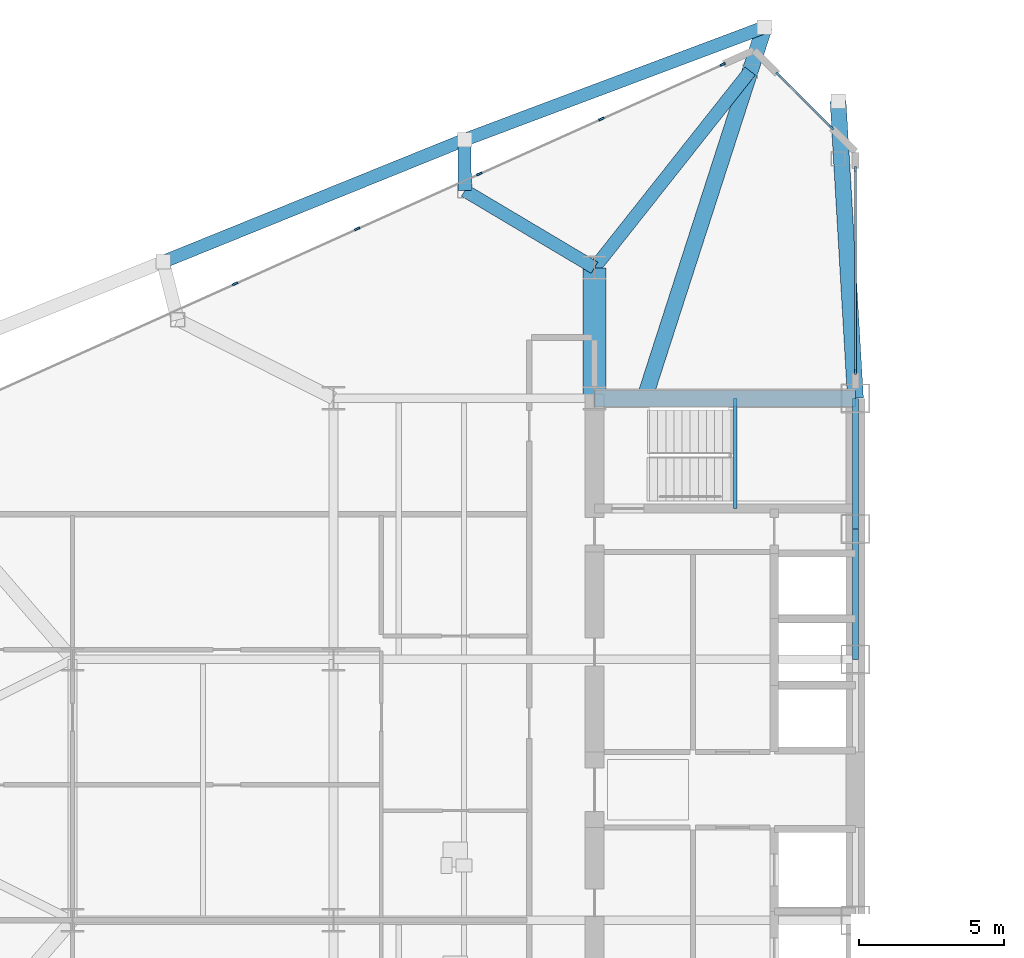
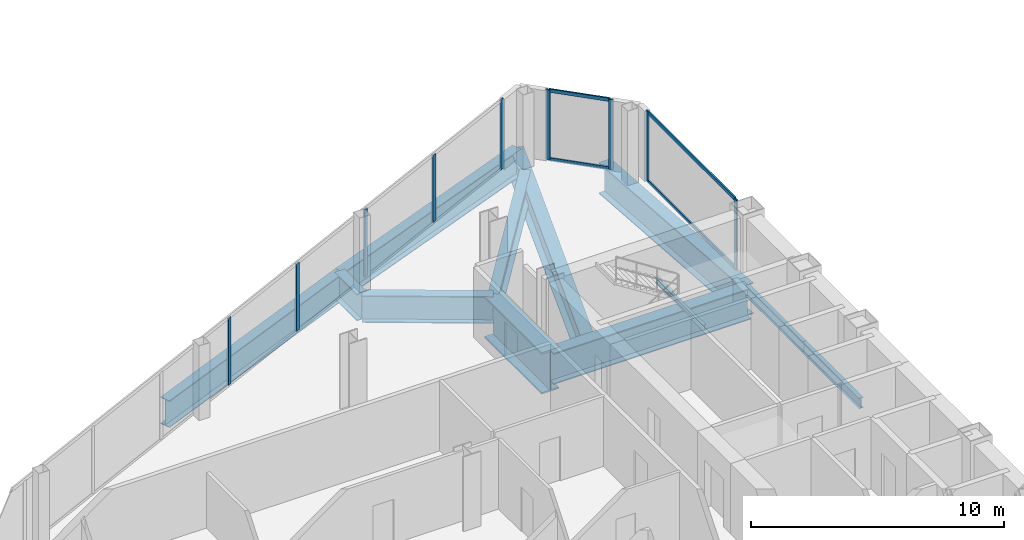
# One storey, part 10 of 29: 13 members, 12 beams, 3 elements without a shape of their own.
"""IFC4 building model written with IfcOpenShell, lengths in metres."""

from ifc_helpers import new_model, si_unit, direction, frame, origin, origin_2d, place, context, subcontext, project, spatial, rectangle, i_section, extrude, source, transform, mapped, material, layer, layer_set, material_profile, profile_set, type_object, type_shapes, element, aggregate, save


model = new_model("IFC4")

# Units and contexts
model_context = context("Model", 3, precision=1e-05, world=origin(), true_north=direction((0.0, 1.0)))
body_context = subcontext(model_context, "Body", "Model", "MODEL_VIEW")
ifc_project = project(units=[si_unit("LENGTHUNIT", "METRE"), si_unit("AREAUNIT", "SQUARE_METRE"), si_unit("VOLUMEUNIT", "CUBIC_METRE"), si_unit("PLANEANGLEUNIT", "RADIAN"), si_unit("MASSUNIT", "GRAM", prefix="KILO")], contexts=[model_context])

# Site, building, storey
site_placement = place(None, origin())
site = spatial("IfcSite", under=ifc_project, at=site_placement, CompositionType="ELEMENT")
building_placement = place(site_placement, origin())
building = spatial("IfcBuilding", under=site, at=building_placement, Name="Seokmaru Belvedere", CompositionType="ELEMENT")
storey_placement = place(building_placement, frame((0.0, 0.0, 62.10009765625)))
storey = spatial("IfcBuildingStorey", under=building, at=storey_placement, Name="L16", CompositionType="ELEMENT", Elevation=62.10009765625)

# Beams
ifc_material_1 = material(Name="Steel SM355 (355 MPa)", Category="steel")
ifc_material_profile_1 = material_profile(ifc_material_1, i_section(OverallWidth=0.199951171875, OverallDepth=0.5, WebThickness=0.010009765625, FlangeThickness=0.01611328125, at=origin_2d()), Name="H-500x200x10x16")
ifc_profile_set_1 = profile_set([ifc_material_profile_1], Name="Steel SM355 (355 MPa)")
beam_type_1 = type_object("IfcBeamType", Name="Perimeter Spandrel Beam H-500", PredefinedType="SPANDREL", material=ifc_profile_set_1)
shared_shape_1 = source(origin(), body_context, "Body", "SweptSolid", [
    extrude(i_section(OverallWidth=0.199951171875, OverallDepth=0.5, WebThickness=0.010009765625, FlangeThickness=0.01611328125, at=origin_2d()), origin(), (0.0, 0.0, 1.0), 4.5),
])
type_shapes(beam_type_1, [shared_shape_1])
for number, where, z_axis, x_axis, name in (
    (1, (-27.5, 4.5, -0.47021484375), (0.0, 1.0, 0.0), (-1.0, 0.0, 0.0), "L16 W Portal Spine Spandrel 4"),
    (2, (-27.5, 9.0, -0.47021484375), (0.0, 1.0, 0.0), (-1.0, 0.0, 0.0), "L16 W Portal Spine Spandrel 5"),
):
    element("IfcBeam", number, at=place(storey_placement, frame(where, z_axis=z_axis, x_axis=x_axis)), inside=storey, type_object=beam_type_1, Name=name, PredefinedType="SPANDREL", context=body_context, shape_type="MappedRepresentation", body=[
        mapped(shared_shape_1, transform((0.0, 0.0, 0.0), scale=1.0)),
    ])
ifc_material_2 = material(Name="Steel HSA650 (650 MPa)", Category="steel")
ifc_material_profile_2 = material_profile(ifc_material_2, i_section(OverallWidth=0.800048828125, OverallDepth=2.0, WebThickness=0.0400390625, FlangeThickness=0.070068359375, at=origin_2d()), Name="BH-2000x800x40x70")
ifc_profile_set_2 = profile_set([ifc_material_profile_2], Name="Steel HSA650 (650 MPa)")
beam_type_2 = type_object("IfcBeamType", Name="Sky-Gate Transfer Truss Chord Girder BH-2000", PredefinedType="BEAM", material=ifc_profile_set_2)
shared_shape_2 = source(origin(), body_context, "Body", "SweptSolid", [
    extrude(i_section(OverallWidth=0.800048828125, OverallDepth=2.0, WebThickness=0.0400390625, FlangeThickness=0.070068359375, at=origin_2d()), origin(), (0.0, 0.0, 1.0), 4.5),
])
type_shapes(beam_type_2, [shared_shape_2])
beam_1_placement = place(storey_placement, frame((-36.5, 13.5, -1.22021484375), z_axis=(0.0, 1.0, 0.0), x_axis=(-1.0, 0.0, 0.0)))
element("IfcBeam", 3, at=beam_1_placement, inside=storey, type_object=beam_type_2, Name="L16 W Core Shoulder Girder N", PredefinedType="BEAM", context=body_context, shape_type="MappedRepresentation", body=[
    mapped(shared_shape_2, transform((0.0, 0.0, 0.0), scale=1.0)),
])
ifc_material_profile_3 = material_profile(ifc_material_2, i_section(OverallWidth=0.449951171875, OverallDepth=1.300048828125, WebThickness=0.02197265625, FlangeThickness=0.0380859375, at=origin_2d()), Name="BH-1300x450x22x38")
ifc_profile_set_3 = profile_set([ifc_material_profile_3], Name="Steel HSA650 (650 MPa)")
beam_type_3 = type_object("IfcBeamType", Name="Observatory Long-Span Roof Girder BH-1300", PredefinedType="BEAM", material=ifc_profile_set_3)
shared_shape_3 = source(origin(), body_context, "Body", "SweptSolid", [
    extrude(i_section(OverallWidth=0.449951171875, OverallDepth=1.300048828125, WebThickness=0.02197265625, FlangeThickness=0.0380859375, at=origin_2d()), origin(), (0.0, 0.0, 1.0), 11.03857421875),
])
beam_2_placement = place(storey_placement, frame((-30.643310546875, 26.294677734375, -0.8701171875), z_axis=(-0.936169110734, -0.351549990907, 0.0), x_axis=(0.351549990907, -0.936169110734, 0.0)))
element("IfcBeam", 4, at=beam_2_placement, inside=storey, type_object=beam_type_3, Name="L16 W Faceted Flank Spandrel N-1", PredefinedType="BEAM", context=body_context, shape_type="MappedRepresentation", body=[
    mapped(shared_shape_3, transform((0.0, 0.0, 0.0), scale=1.0)),
])
shared_shape_4 = source(origin(), body_context, "Body", "SweptSolid", [
    extrude(i_section(OverallWidth=0.449951171875, OverallDepth=1.300048828125, WebThickness=0.02197265625, FlangeThickness=0.0380859375, at=origin_2d()), origin(), (0.0, 0.0, 1.0), 11.220703125),
])
beam_3_placement = place(storey_placement, frame((-40.977294921875, 22.4140625, -0.8701171875), z_axis=(-0.926944290816, -0.375198989503, 0.0), x_axis=(0.375198989503, -0.926944290816, 0.0)))
element("IfcBeam", 5, at=beam_3_placement, inside=storey, type_object=beam_type_3, Name="L16 W Faceted Flank Spandrel N-2", PredefinedType="BEAM", context=body_context, shape_type="MappedRepresentation", body=[
    mapped(shared_shape_4, transform((0.0, 0.0, 0.0), scale=1.0)),
])
ifc_material_profile_4 = material_profile(ifc_material_2, i_section(OverallWidth=0.550048828125, OverallDepth=1.5, WebThickness=0.028076171875, FlangeThickness=0.044921875, at=origin_2d()), Name="BH-1500x550x28x45")
ifc_profile_set_4 = profile_set([ifc_material_profile_4], Name="Steel HSA650 (650 MPa)")
beam_type_4 = type_object("IfcBeamType", Name="Setback Transfer Girder BH-1500", PredefinedType="BEAM", material=ifc_profile_set_4)
shared_shape_5 = source(origin(), body_context, "Body", "SweptSolid", [
    extrude(i_section(OverallWidth=0.550048828125, OverallDepth=1.5, WebThickness=0.028076171875, FlangeThickness=0.044921875, at=origin_2d()), origin(), (0.0, 0.0, 1.0), 10.26904296875),
])
beam_4_placement = place(storey_placement, frame((-28.10009765625, 23.75146484375, -0.97021484375), z_axis=(0.058437709399, -0.998291056817, 0.0), x_axis=(0.998291056817, 0.058437709399, 0.0)))
element("IfcBeam", 6, at=beam_4_placement, inside=storey, type_object=beam_type_4, Name="L16 W Setback Transfer Girder 2", PredefinedType="BEAM", context=body_context, shape_type="MappedRepresentation", body=[
    mapped(shared_shape_5, transform((0.0, 0.0, 0.0), scale=1.0)),
])
shared_shape_6 = source(origin(), body_context, "Body", "SweptSolid", [
    extrude(i_section(OverallWidth=0.550048828125, OverallDepth=1.5, WebThickness=0.028076171875, FlangeThickness=0.044921875, at=origin_2d()), origin(), (0.0, 0.0, 1.0), 9.0),
])
beam_5_placement = place(storey_placement, frame((-36.5, 13.5, -0.97021484375), z_axis=(1.0, 0.0, 0.0), x_axis=(0.0, 1.0, 0.0)))
element("IfcBeam", 7, at=beam_5_placement, inside=storey, type_object=beam_type_4, Name="L16 W Core Transfer Header 4", PredefinedType="BEAM", context=body_context, shape_type="MappedRepresentation", body=[
    mapped(shared_shape_6, transform((0.0, 0.0, 0.0), scale=1.0)),
])
shared_shape_7 = source(origin(), body_context, "Body", "SweptSolid", [
    extrude(i_section(OverallWidth=0.550048828125, OverallDepth=1.5, WebThickness=0.028076171875, FlangeThickness=0.044921875, at=origin_2d()), origin(), (0.0, 0.0, 1.0), 13.445068359375),
])
type_shapes(beam_type_4, [shared_shape_5, shared_shape_6, shared_shape_7])
beam_6_placement = place(storey_placement, frame((-30.643310546875, 26.294677734375, -0.97021484375), z_axis=(-0.307241517506, -0.951631572574, 0.0), x_axis=(0.951631572574, -0.307241517506, 0.0)))
element("IfcBeam", 8, at=beam_6_placement, inside=storey, type_object=beam_type_4, Name="L16 W Setback Transfer Girder 3", PredefinedType="BEAM", context=body_context, shape_type="MappedRepresentation", body=[
    mapped(shared_shape_7, transform((0.0, 0.0, 0.0), scale=1.0)),
])
shared_shape_8 = source(origin(), body_context, "Body", "SweptSolid", [
    extrude(i_section(OverallWidth=0.449951171875, OverallDepth=1.300048828125, WebThickness=0.02197265625, FlangeThickness=0.0380859375, at=origin_2d()), origin(), (0.0, 0.0, 1.0), 8.650390625),
])
beam_7_placement = place(storey_placement, frame((-31.13134765625, 24.782958984375, -0.8701171875), z_axis=(-0.620618362853, -0.784112777405, 0.0), x_axis=(0.784112777405, -0.620618362853, 0.0)))
element("IfcBeam", 9, at=beam_7_placement, inside=storey, type_object=beam_type_3, Name="L16 W Shoulder Sanity Tie Girder 3", PredefinedType="BEAM", context=body_context, shape_type="MappedRepresentation", body=[
    mapped(shared_shape_8, transform((0.0, 0.0, 0.0), scale=1.0)),
])
shared_shape_9 = source(origin(), body_context, "Body", "SweptSolid", [
    extrude(i_section(OverallWidth=0.449951171875, OverallDepth=1.300048828125, WebThickness=0.02197265625, FlangeThickness=0.0380859375, at=origin_2d()), origin(), (0.0, 0.0, 1.0), 1.752685546875),
])
beam_8_placement = place(storey_placement, frame((-40.977294921875, 22.4140625, -0.8701171875), z_axis=(0.002646598894, -0.999996497751, 0.0), x_axis=(0.999996497751, 0.002646598894, 0.0)))
element("IfcBeam", 10, at=beam_8_placement, inside=storey, type_object=beam_type_3, Name="L16 W Flank Setback Step Girder N-1", PredefinedType="BEAM", context=body_context, shape_type="MappedRepresentation", body=[
    mapped(shared_shape_9, transform((0.0, 0.0, 0.0), scale=1.0)),
])
shared_shape_10 = source(origin(), body_context, "Body", "SweptSolid", [
    extrude(i_section(OverallWidth=0.449951171875, OverallDepth=1.300048828125, WebThickness=0.02197265625, FlangeThickness=0.0380859375, at=origin_2d()), origin(), (0.0, 0.0, 1.0), 5.20458984375),
])
type_shapes(beam_type_3, [shared_shape_3, shared_shape_4, shared_shape_8, shared_shape_9, shared_shape_10])
beam_9_placement = place(storey_placement, frame((-40.97265625, 20.661376953125, -0.8701171875), z_axis=(0.859370434188, -0.511353553662, 0.0), x_axis=(0.511353553662, 0.859370434188, 0.0)))
element("IfcBeam", 11, at=beam_9_placement, inside=storey, type_object=beam_type_3, Name="L16 W Flank Setback Back-Span Girder N-1", PredefinedType="BEAM", context=body_context, shape_type="MappedRepresentation", body=[
    mapped(shared_shape_10, transform((0.0, 0.0, 0.0), scale=1.0)),
])

# Curtain wall, members
ifc_material_3 = material(Name="Bronze Triple Insulating Glass", Category="glass")
ifc_layer = layer(ifc_material_3, 0.195068359375)
ifc_layer_set = layer_set([ifc_layer], Name="Bronze Triple Insulating Glass")
curtain_wall_type = type_object("IfcCurtainWallType", Name="Lower-Mid Tapered Curtain Wall System CW-3", PredefinedType="NOTDEFINED", material=ifc_layer_set)
curtain_wall_1_placement = place(storey_placement, origin())
curtain_wall_1 = element("IfcCurtainWall", 12, at=curtain_wall_1_placement, inside=storey, type_object=curtain_wall_type, Name="L16 Curtain Wall WSP_2", PredefinedType="NOTDEFINED")
ifc_material_4 = material(Name="Anodised Bronze Aluminium", Category="aluminium")
ifc_material_profile_5 = material_profile(ifc_material_4, rectangle(XDim=0.070068359375, YDim=0.195068359375, at=origin_2d()), Name="CW-M-70x195")
ifc_profile_set_5 = profile_set([ifc_material_profile_5], Name="Anodised Bronze Aluminium")
member_type_1 = type_object("IfcMemberType", Name="Bronze Unitised Mullion 70x195", PredefinedType="MULLION", material=ifc_profile_set_5)
shared_shape_11 = source(origin(), body_context, "Body", "SweptSolid", [
    extrude(rectangle(XDim=0.070068359375, YDim=0.195068359375, at=origin_2d()), origin(), (0.0, 0.0, 1.0), 3.3798828125),
])
member_1_placement = place(storey_placement, frame((-27.5, 14.4150390625, 0.0), z_axis=(0.0, 0.0, 1.0), x_axis=(-1.0, 0.0, 0.0)))
member_1 = element("IfcMember", 13, at=member_1_placement, type_object=member_type_1, Name="CW:L16:WSP_2 Mullion 1", PredefinedType="MULLION", context=body_context, shape_type="MappedRepresentation", body=[
    mapped(shared_shape_11, transform((0.0, 0.0, 0.0), scale=1.0)),
])
member_2_placement = place(storey_placement, frame((-27.5, 21.39501953125, 0.0), z_axis=(0.0, 0.0, 1.0), x_axis=(-1.0, 0.0, 0.0)))
member_2 = element("IfcMember", 14, at=member_2_placement, type_object=member_type_1, Name="CW:L16:WSP_2 Mullion 2", PredefinedType="MULLION", context=body_context, shape_type="MappedRepresentation", body=[
    mapped(shared_shape_11, transform((0.0, 0.0, 0.0), scale=1.0)),
])

curtain_wall_2_placement = place(storey_placement, origin())
curtain_wall_2 = element("IfcCurtainWall", 15, at=curtain_wall_2_placement, inside=storey, type_object=curtain_wall_type, Name="L16 Curtain Wall WF2", PredefinedType="NOTDEFINED")
member_3_placement = place(storey_placement, frame((-28.337890625, 22.837890625, 0.0), z_axis=(0.0, 0.0, 1.0), x_axis=(-0.707106781187, -0.707106781187, 0.0)))
member_3 = element("IfcMember", 16, at=member_3_placement, type_object=member_type_1, Name="CW:L16:WF2 Mullion 1", PredefinedType="MULLION", context=body_context, shape_type="MappedRepresentation", body=[
    mapped(shared_shape_11, transform((0.0, 0.0, 0.0), scale=1.0)),
])
member_4_placement = place(storey_placement, frame((-30.162109375, 24.662109375, 0.0), z_axis=(0.0, 0.0, 1.0), x_axis=(-0.707106781187, -0.707106781187, 0.0)))
member_4 = element("IfcMember", 17, at=member_4_placement, type_object=member_type_1, Name="CW:L16:WF2 Mullion 2", PredefinedType="MULLION", context=body_context, shape_type="MappedRepresentation", body=[
    mapped(shared_shape_11, transform((0.0, 0.0, 0.0), scale=1.0)),
])

# Curtain wall, member
curtain_wall_3_placement = place(storey_placement, origin())
curtain_wall_3 = element("IfcCurtainWall", 18, at=curtain_wall_3_placement, inside=storey, type_object=curtain_wall_type, Name="L16 Curtain Wall WF3", PredefinedType="NOTDEFINED")
member_5_placement = place(storey_placement, frame((-32.08056640625, 25.013671875, 0.0), z_axis=(0.0, 0.0, 1.0), x_axis=(0.41036554765, -0.91192111353, 0.0)))
member_5 = element("IfcMember", 19, at=member_5_placement, type_object=member_type_1, Name="CW:L16:WF3 Mullion 1", PredefinedType="MULLION", context=body_context, shape_type="MappedRepresentation", body=[
    mapped(shared_shape_11, transform((0.0, 0.0, 0.0), scale=1.0)),
])

# Member
ifc_material_profile_6 = material_profile(ifc_material_4, rectangle(XDim=0.070068359375, YDim=0.1650390625, at=origin_2d()), Name="CW-T-70x165")
ifc_profile_set_6 = profile_set([ifc_material_profile_6], Name="Anodised Bronze Aluminium")
member_type_2 = type_object("IfcMemberType", Name="Bronze Unitised Transom 70x165", PredefinedType="USERDEFINED", material=ifc_profile_set_6)
shared_shape_12 = source(origin(), body_context, "Body", "SweptSolid", [
    extrude(rectangle(XDim=0.070068359375, YDim=0.1650390625, at=origin_2d()), origin(), (0.0, 0.0, 1.0), 6.91015625),
])
member_6_placement = place(storey_placement, frame((-27.5, 14.449951171875, 0.034912109375), z_axis=(0.0, 1.0, 0.0), x_axis=(-1.0, 0.0, 0.0)))
member_6 = element("IfcMember", 20, at=member_6_placement, type_object=member_type_2, Name="CW:L16:WSP_2 Continuous Transom 1", ObjectType="TRANSOM", PredefinedType="USERDEFINED", context=body_context, shape_type="MappedRepresentation", body=[
    mapped(shared_shape_12, transform((0.0, 0.0, 0.0), scale=1.0)),
])

member_7_placement = place(storey_placement, frame((-27.5, 14.449951171875, 3.344970703125), z_axis=(0.0, 1.0, 0.0), x_axis=(-1.0, 0.0, 0.0)))
member_7 = element("IfcMember", 21, at=member_7_placement, type_object=member_type_2, Name="CW:L16:WSP_2 Continuous Transom 2", ObjectType="TRANSOM", PredefinedType="USERDEFINED", context=body_context, shape_type="MappedRepresentation", body=[
    mapped(shared_shape_12, transform((0.0, 0.0, 0.0), scale=1.0)),
])

aggregate(curtain_wall_1, [member_1, member_2, member_6, member_7])

shared_shape_13 = source(origin(), body_context, "Body", "SweptSolid", [
    extrude(rectangle(XDim=0.070068359375, YDim=0.1650390625, at=origin_2d()), origin(), (0.0, 0.0, 1.0), 2.509521484375),
])
type_shapes(member_type_2, [shared_shape_12, shared_shape_13])
member_8_placement = place(storey_placement, frame((-28.36279296875, 22.86279296875, 0.034912109375), z_axis=(-0.707106781187, 0.707106781187, 0.0), x_axis=(-0.707106781187, -0.707106781187, 0.0)))
member_8 = element("IfcMember", 22, at=member_8_placement, type_object=member_type_2, Name="CW:L16:WF2 Continuous Transom 1", ObjectType="TRANSOM", PredefinedType="USERDEFINED", context=body_context, shape_type="MappedRepresentation", body=[
    mapped(shared_shape_13, transform((0.0, 0.0, 0.0), scale=1.0)),
])

member_9_placement = place(storey_placement, frame((-28.36279296875, 22.86279296875, 3.344970703125), z_axis=(-0.707106781187, 0.707106781187, 0.0), x_axis=(-0.707106781187, -0.707106781187, 0.0)))
member_9 = element("IfcMember", 23, at=member_9_placement, type_object=member_type_2, Name="CW:L16:WF2 Continuous Transom 2", ObjectType="TRANSOM", PredefinedType="USERDEFINED", context=body_context, shape_type="MappedRepresentation", body=[
    mapped(shared_shape_13, transform((0.0, 0.0, 0.0), scale=1.0)),
])

aggregate(curtain_wall_2, [member_3, member_4, member_8, member_9])

shared_shape_14 = source(origin(), body_context, "Body", "SweptSolid", [
    extrude(rectangle(XDim=0.070068359375, YDim=0.195068359375, at=origin_2d()), origin(), (0.0, 0.0, 1.0), 3.239990234375),
])
type_shapes(member_type_1, [shared_shape_11, shared_shape_14])
member_10_placement = place(storey_placement, frame((-36.260009765625, 23.133056640625, 0.06982421875), z_axis=(0.0, 0.0, 1.0), x_axis=(0.41036554765, -0.91192111353, 0.0)))
member_10 = element("IfcMember", 24, at=member_10_placement, type_object=member_type_1, Name="CW:L16:WF3 Mullion 2", PredefinedType="MULLION", context=body_context, shape_type="MappedRepresentation", body=[
    mapped(shared_shape_14, transform((0.0, 0.0, 0.0), scale=1.0)),
])

member_11_placement = place(storey_placement, frame((-40.471435546875, 21.23779296875, 0.06982421875), z_axis=(0.0, 0.0, 1.0), x_axis=(0.41036554765, -0.91192111353, 0.0)))
member_11 = element("IfcMember", 25, at=member_11_placement, type_object=member_type_1, Name="CW:L16:WF3 Mullion 3", PredefinedType="MULLION", context=body_context, shape_type="MappedRepresentation", body=[
    mapped(shared_shape_14, transform((0.0, 0.0, 0.0), scale=1.0)),
])

member_12_placement = place(storey_placement, frame((-44.682861328125, 19.3427734375, 0.06982421875), z_axis=(0.0, 0.0, 1.0), x_axis=(0.41036554765, -0.91192111353, 0.0)))
member_12 = element("IfcMember", 26, at=member_12_placement, type_object=member_type_1, Name="CW:L16:WF3 Mullion 4", PredefinedType="MULLION", context=body_context, shape_type="MappedRepresentation", body=[
    mapped(shared_shape_14, transform((0.0, 0.0, 0.0), scale=1.0)),
])

member_13_placement = place(storey_placement, frame((-48.894287109375, 17.447509765625, 0.06982421875), z_axis=(0.0, 0.0, 1.0), x_axis=(0.41036554765, -0.91192111353, 0.0)))
member_13 = element("IfcMember", 27, at=member_13_placement, type_object=member_type_1, Name="CW:L16:WF3 Mullion 5", PredefinedType="MULLION", context=body_context, shape_type="MappedRepresentation", body=[
    mapped(shared_shape_14, transform((0.0, 0.0, 0.0), scale=1.0)),
])

aggregate(curtain_wall_3, [member_5, member_10, member_11, member_12, member_13])

# Beam
ifc_material_profile_7 = material_profile(ifc_material_1, i_section(OverallWidth=0.125, OverallDepth=0.25, WebThickness=0.006103515625, FlangeThickness=0.009033203125, at=origin_2d()), Name="H-250x125x6x9")
ifc_profile_set_7 = profile_set([ifc_material_profile_7], Name="Steel SM355 (355 MPa)")
beam_type_5 = type_object("IfcBeamType", Name="Stair Mid-Landing Support Beam H-250", PredefinedType="JOIST", material=ifc_profile_set_7)
shared_shape_15 = source(origin(), body_context, "Body", "SweptSolid", [
    extrude(i_section(OverallWidth=0.125, OverallDepth=0.25, WebThickness=0.006103515625, FlangeThickness=0.009033203125, at=origin_2d()), origin(), (0.0, 0.0, 1.0), 3.800048828125),
])
type_shapes(beam_type_5, [shared_shape_15])
beam_10_placement = place(storey_placement, frame((-31.64990234375, 9.699951171875, 1.474853515625), z_axis=(0.0, 1.0, 0.0), x_axis=(-1.0, 0.0, 0.0)))
element("IfcBeam", 28, at=beam_10_placement, inside=storey, type_object=beam_type_5, Name="L16 Stair ST-W2 Mid-Landing Support Beam 1", PredefinedType="JOIST", context=body_context, shape_type="MappedRepresentation", body=[
    mapped(shared_shape_15, transform((0.0, 0.0, 0.0), scale=1.0)),
])

save(model, "model.ifc")
